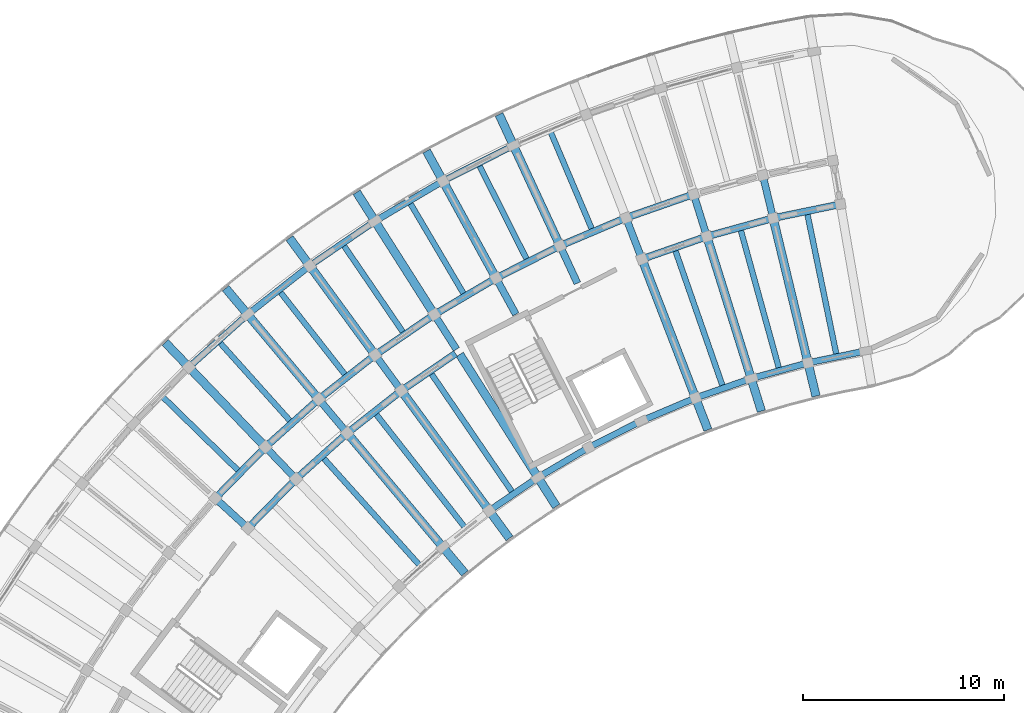
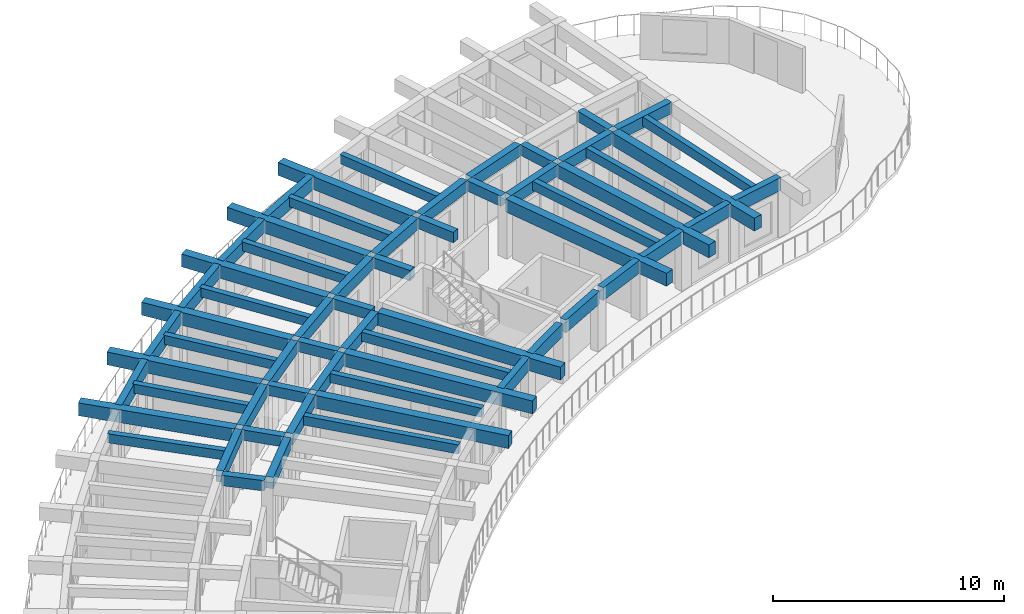
# One storey, part 16 of 62: 62 beams.
"""IFC4 building model written with IfcOpenShell, lengths in metres."""

from ifc_helpers import new_model, si_unit, direction, frame, origin, origin_2d, place, context, subcontext, project, spatial, rectangle, extrude, material, material_profile, profile_set, type_object, element, save


model = new_model("IFC4")

# Units and contexts
model_context = context("Model", 3, precision=1e-05, world=origin(), true_north=direction((0.0, 1.0)))
body_context = subcontext(model_context, "Body", "Model", "MODEL_VIEW")
ifc_project = project(units=[si_unit("LENGTHUNIT", "METRE"), si_unit("AREAUNIT", "SQUARE_METRE"), si_unit("VOLUMEUNIT", "CUBIC_METRE"), si_unit("PLANEANGLEUNIT", "RADIAN"), si_unit("MASSUNIT", "GRAM", prefix="KILO")], contexts=[model_context])

# Site, building, storey
site_placement = place(None, origin())
site = spatial("IfcSite", under=ifc_project, at=site_placement, CompositionType="ELEMENT")
building_placement = place(site_placement, origin())
building = spatial("IfcBuilding", under=site, at=building_placement, Name="Tanwirah Colonnade Gardens", CompositionType="ELEMENT")
storey_placement = place(building_placement, frame((0.0, 0.0, 32.360107421875)))
storey = spatial("IfcBuildingStorey", under=building, at=storey_placement, Name="L09", CompositionType="ELEMENT", Elevation=32.360107421875)

# Beams
ifc_material_1 = material(Name="Precast concrete C40/50", Category="concrete")
ifc_material_profile_1 = material_profile(ifc_material_1, rectangle(XDim=0.35009765625, YDim=0.550048828125, at=origin_2d()), Name="PC-BM 350x550")
ifc_profile_set_1 = profile_set([ifc_material_profile_1], Name="Precast concrete C40/50")
beam_type_1 = type_object("IfcBeamType", Name="BM-PC350A", PredefinedType="BEAM", material=ifc_profile_set_1)
beam_1_placement = place(storey_placement, frame((52.811767578125, 110.75146484375, 2.83984375), z_axis=(-0.234364199778, 0.972148868159, 0.0), x_axis=(-0.972148868159, -0.234364199778, 0.0)))
element("IfcBeam", 1, at=beam_1_placement, inside=storey, type_object=beam_type_1, Name="Block A L09 Corridor Tie Beam 2", PredefinedType="BEAM", context=body_context, shape_type="SweptSolid", body=[
    extrude(rectangle(XDim=0.35009765625, YDim=0.550048828125, at=origin_2d()), origin(), (0.0, 0.0, 1.0), 1.900146484375),
])
for number, where, z_axis, x_axis, name in (
    (2, (49.507568359375, 109.838623046875, 2.83984375), (-0.297857918398, 0.954610213882, 0.0), (-0.954610213882, -0.297857918398, 0.0), "Block A L09 Corridor Tie Beam 3"),
    (3, (46.270751953125, 108.7099609375, 2.83984375), (-0.360175656082, 0.932884503444, 0.0), (-0.932884503444, -0.360175656082, 0.0), "Block A L09 Corridor Tie Beam 4"),
    (4, (43.115234375, 107.37060546875, 2.83984375), (-0.420858322681, 0.90712638162, 0.0), (-0.90712638162, -0.420858322681, 0.0), "Block A L09 Corridor Tie Beam 5"),
    (5, (40.054931640625, 105.826171875, 2.83984375), (-0.479707235792, 0.877428611301, 0.0), (-0.877428611301, -0.479707235792, 0.0), "Block A L09 Corridor Tie Beam 6"),
    (6, (37.10302734375, 104.08349609375, 2.83984375), (-0.536509579595, 0.843894229749, 0.0), (-0.843894229749, -0.536509579595, 0.0), "Block A L09 Corridor Tie Beam 7"),
):
    element("IfcBeam", number, at=place(storey_placement, frame(where, z_axis=z_axis, x_axis=x_axis)), inside=storey, type_object=beam_type_1, Name=name, PredefinedType="BEAM", context=body_context, shape_type="SweptSolid", body=[
        extrude(rectangle(XDim=0.35009765625, YDim=0.550048828125, at=origin_2d()), origin(), (0.0, 0.0, 1.0), 1.89990234375),
    ])
beam_2_placement = place(storey_placement, frame((34.272216796875, 102.14990234375, 2.83984375), z_axis=(-0.590895676149, 0.806747977939, 0.0), x_axis=(-0.806747977939, -0.590895676149, 0.0)))
element("IfcBeam", 7, at=beam_2_placement, inside=storey, type_object=beam_type_1, Name="Block A L09 Corridor Tie Beam 8", PredefinedType="BEAM", context=body_context, shape_type="SweptSolid", body=[
    extrude(rectangle(XDim=0.35009765625, YDim=0.550048828125, at=origin_2d()), origin(), (0.0, 0.0, 1.0), 1.900146484375),
])
beam_3_placement = place(storey_placement, frame((31.574951171875, 100.034423828125, 2.83984375), z_axis=(-0.642797194343, 0.766036400535, 0.0), x_axis=(-0.766036400535, -0.642797194343, 0.0)))
element("IfcBeam", 8, at=beam_3_placement, inside=storey, type_object=beam_type_1, Name="Block A L09 Corridor Tie Beam 9", PredefinedType="BEAM", context=body_context, shape_type="SweptSolid", body=[
    extrude(rectangle(XDim=0.35009765625, YDim=0.550048828125, at=origin_2d()), origin(), (0.0, 0.0, 1.0), 1.89990234375),
])
beam_4_placement = place(storey_placement, frame((29.023193359375, 97.74560546875, 2.83984375), z_axis=(-0.691913735329, 0.721980181766, 0.0), x_axis=(-0.721980181766, -0.691913735329, 0.0)))
element("IfcBeam", 9, at=beam_4_placement, inside=storey, type_object=beam_type_1, Name="Block A L09 Corridor Tie Beam 10", PredefinedType="BEAM", context=body_context, shape_type="SweptSolid", body=[
    extrude(rectangle(XDim=0.35009765625, YDim=0.550048828125, at=origin_2d()), origin(), (0.0, 0.0, 1.0), 1.900146484375),
])
beam_5_placement = place(storey_placement, frame((26.62744140625, 95.29345703125, 2.83984375), z_axis=(-0.737948361517, 0.674857181732, 0.0), x_axis=(-0.674857181732, -0.737948361517, 0.0)))
element("IfcBeam", 10, at=beam_5_placement, inside=storey, type_object=beam_type_1, Name="Block A L09 Corridor Tie Beam 11", PredefinedType="BEAM", context=body_context, shape_type="SweptSolid", body=[
    extrude(rectangle(XDim=0.35009765625, YDim=0.550048828125, at=origin_2d()), origin(), (0.0, 0.0, 1.0), 1.89990234375),
])
ifc_material_profile_2 = material_profile(ifc_material_1, rectangle(XDim=0.35009765625, YDim=0.60009765625, at=origin_2d()), Name="PC-BM 350x600")
ifc_profile_set_2 = profile_set([ifc_material_profile_2], Name="Precast concrete C40/50")
beam_type_2 = type_object("IfcBeamType", Name="BM-PC350B", PredefinedType="BEAM", material=ifc_profile_set_2)
for number, where, z_axis, x_axis, name in (
    (11, (56.047607421875, 111.2666015625, 2.81494140625), (-0.979335880607, -0.202240532428, 0.0), (0.202240532428, -0.979335880607, 0.0), "Block A L09 Circumferential Beam 1-R1"),
    (12, (52.702392578125, 110.565673828125, 2.81494140625), (-0.963894965188, -0.266282737114, 0.0), (0.266282737114, -0.963894965188, 0.0), "Block A L09 Circumferential Beam 2-R1"),
    (13, (49.41064453125, 109.64599609375, 2.81494140625), (-0.944248304077, -0.329234172358, 0.0), (0.329234172358, -0.944248304077, 0.0), "Block A L09 Circumferential Beam 3-R1"),
):
    element("IfcBeam", number, at=place(storey_placement, frame(where, z_axis=z_axis, x_axis=x_axis)), inside=storey, type_object=beam_type_2, Name=name, PredefinedType="BEAM", context=body_context, shape_type="SweptSolid", body=[
        extrude(rectangle(XDim=0.35009765625, YDim=0.60009765625, at=origin_2d()), origin(), (0.0, 0.0, 1.0), 3.1181640625),
    ])
for number, where, z_axis, x_axis, name in (
    (14, (48.755126953125, 111.74609375, 2.81494140625), (-0.944231021702, -0.329283734272, 0.0), (0.329283734272, -0.944231021702, 0.0), "Block A L09 Circumferential Beam 3-R2"),
    (15, (45.394287109375, 110.563720703125, 2.81494140625), (-0.920513294115, -0.390711242938, 0.0), (0.390711242938, -0.920513294115, 0.0), "Block A L09 Circumferential Beam 4-R2"),
):
    element("IfcBeam", number, at=place(storey_placement, frame(where, z_axis=z_axis, x_axis=x_axis)), inside=storey, type_object=beam_type_2, Name=name, PredefinedType="BEAM", context=body_context, shape_type="SweptSolid", body=[
        extrude(rectangle(XDim=0.35009765625, YDim=0.60009765625, at=origin_2d()), origin(), (0.0, 0.0, 1.0), 3.262939453125),
    ])
for number, where, z_axis, x_axis, name in (
    (16, (42.11865234375, 109.16259765625, 2.81494140625), (-0.89276014323, -0.450532270387, 0.0), (0.450532270387, -0.89276014323, 0.0), "Block A L09 Circumferential Beam 5-R2"),
    (17, (38.9423828125, 107.548583984375, 2.81494140625), (-0.861134978964, -0.508376384193, 0.0), (0.508376384193, -0.861134978964, 0.0), "Block A L09 Circumferential Beam 6-R2"),
):
    element("IfcBeam", number, at=place(storey_placement, frame(where, z_axis=z_axis, x_axis=x_axis)), inside=storey, type_object=beam_type_2, Name=name, PredefinedType="BEAM", context=body_context, shape_type="SweptSolid", body=[
        extrude(rectangle(XDim=0.35009765625, YDim=0.60009765625, at=origin_2d()), origin(), (0.0, 0.0, 1.0), 3.26318359375),
    ])
beam_6_placement = place(storey_placement, frame((37.0595703125, 103.872314453125, 2.81494140625), z_axis=(-0.825758291455, -0.564024152047, 0.0), x_axis=(0.564024152047, -0.825758291455, 0.0)))
element("IfcBeam", 18, at=beam_6_placement, inside=storey, type_object=beam_type_2, Name="Block A L09 Circumferential Beam 7-R1", PredefinedType="BEAM", context=body_context, shape_type="SweptSolid", body=[
    extrude(rectangle(XDim=0.35009765625, YDim=0.60009765625, at=origin_2d()), origin(), (0.0, 0.0, 1.0), 3.118408203125),
])
beam_7_placement = place(storey_placement, frame((35.87939453125, 105.728759765625, 2.81494140625), z_axis=(-0.825782284145, -0.563989024, 0.0), x_axis=(0.563989024, -0.825782284145, 0.0)))
element("IfcBeam", 19, at=beam_7_placement, inside=storey, type_object=beam_type_2, Name="Block A L09 Circumferential Beam 7-R2", PredefinedType="BEAM", context=body_context, shape_type="SweptSolid", body=[
    extrude(rectangle(XDim=0.35009765625, YDim=0.60009765625, at=origin_2d()), origin(), (0.0, 0.0, 1.0), 3.26318359375),
])
beam_8_placement = place(storey_placement, frame((34.242919921875, 101.9365234375, 2.81494140625), z_axis=(-0.78679899272, -0.617209320292, 0.0), x_axis=(0.617209320292, -0.78679899272, 0.0)))
element("IfcBeam", 20, at=beam_8_placement, inside=storey, type_object=beam_type_2, Name="Block A L09 Circumferential Beam 8-R1", PredefinedType="BEAM", context=body_context, shape_type="SweptSolid", body=[
    extrude(rectangle(XDim=0.35009765625, YDim=0.60009765625, at=origin_2d()), origin(), (0.0, 0.0, 1.0), 3.1181640625),
])
beam_9_placement = place(storey_placement, frame((32.94287109375, 103.711181640625, 2.81494140625), z_axis=(-0.786839882256, -0.617157192044, 0.0), x_axis=(0.617157192044, -0.786839882256, 0.0)))
element("IfcBeam", 21, at=beam_9_placement, inside=storey, type_object=beam_type_2, Name="Block A L09 Circumferential Beam 8-R2", PredefinedType="BEAM", context=body_context, shape_type="SweptSolid", body=[
    extrude(rectangle(XDim=0.35009765625, YDim=0.60009765625, at=origin_2d()), origin(), (0.0, 0.0, 1.0), 3.26318359375),
])
beam_10_placement = place(storey_placement, frame((31.559814453125, 99.8193359375, 2.81494140625), z_axis=(-0.744429866059, -0.667700662363, 0.0), x_axis=(0.667700662363, -0.744429866059, 0.0)))
element("IfcBeam", 22, at=beam_10_placement, inside=storey, type_object=beam_type_2, Name="Block A L09 Circumferential Beam 9-R1", PredefinedType="BEAM", context=body_context, shape_type="SweptSolid", body=[
    extrude(rectangle(XDim=0.35009765625, YDim=0.60009765625, at=origin_2d()), origin(), (0.0, 0.0, 1.0), 3.1181640625),
])
beam_11_placement = place(storey_placement, frame((30.145751953125, 101.504638671875, 2.81494140625), z_axis=(-0.744409136578, -0.667723773262, 0.0), x_axis=(0.667723773262, -0.744409136578, 0.0)))
element("IfcBeam", 23, at=beam_11_placement, inside=storey, type_object=beam_type_2, Name="Block A L09 Circumferential Beam 9-R2", PredefinedType="BEAM", context=body_context, shape_type="SweptSolid", body=[
    extrude(rectangle(XDim=0.35009765625, YDim=0.60009765625, at=origin_2d()), origin(), (0.0, 0.0, 1.0), 3.26318359375),
])
beam_12_placement = place(storey_placement, frame((29.02197265625, 97.52978515625, 2.81494140625), z_axis=(-0.698837366631, -0.715280598787, 0.0), x_axis=(0.715280598787, -0.698837366631, 0.0)))
element("IfcBeam", 24, at=beam_12_placement, inside=storey, type_object=beam_type_2, Name="Block A L09 Circumferential Beam 10-R1", PredefinedType="BEAM", context=body_context, shape_type="SweptSolid", body=[
    extrude(rectangle(XDim=0.35009765625, YDim=0.60009765625, at=origin_2d()), origin(), (0.0, 0.0, 1.0), 3.117919921875),
])
beam_13_placement = place(storey_placement, frame((27.5, 99.118408203125, 2.81494140625), z_axis=(-0.698829447339, -0.71528833594, 0.0), x_axis=(0.71528833594, -0.698829447339, 0.0)))
element("IfcBeam", 25, at=beam_13_placement, inside=storey, type_object=beam_type_2, Name="Block A L09 Circumferential Beam 10-R2", PredefinedType="BEAM", context=body_context, shape_type="SweptSolid", body=[
    extrude(rectangle(XDim=0.35009765625, YDim=0.60009765625, at=origin_2d()), origin(), (0.0, 0.0, 1.0), 3.263427734375),
])
ifc_material_2 = material(Name="Precast concrete C45/55", Category="concrete")
ifc_material_profile_3 = material_profile(ifc_material_2, rectangle(XDim=0.419921875, YDim=0.679931640625, at=origin_2d()), Name="PC-BM 420x680")
ifc_profile_set_3 = profile_set([ifc_material_profile_3], Name="Precast concrete C45/55")
beam_type_3 = type_object("IfcBeamType", Name="BM-PC420", PredefinedType="BEAM", material=ifc_profile_set_3)
beam_14_placement = place(storey_placement, frame((52.882080078125, 110.459716796875, 2.77490234375), z_axis=(0.234401428133, -0.972139892448, 0.0), x_axis=(0.972139892448, 0.234401428133, 0.0)))
element("IfcBeam", 26, at=beam_14_placement, inside=storey, type_object=beam_type_3, Name="Block A L09 Inner Radial Precast Girder 2", PredefinedType="BEAM", context=body_context, shape_type="SweptSolid", body=[
    extrude(rectangle(XDim=0.419921875, YDim=0.679931640625, at=origin_2d()), origin(), (0.0, 0.0, 1.0), 8.949951171875),
])
beam_15_placement = place(storey_placement, frame((49.596923828125, 109.55224609375, 2.77490234375), z_axis=(0.29792861283, -0.9545881529, 0.0), x_axis=(0.9545881529, 0.29792861283, 0.0)))
element("IfcBeam", 27, at=beam_15_placement, inside=storey, type_object=beam_type_3, Name="Block A L09 Inner Radial Precast Girder 3", PredefinedType="BEAM", context=body_context, shape_type="SweptSolid", body=[
    extrude(rectangle(XDim=0.419921875, YDim=0.679931640625, at=origin_2d()), origin(), (0.0, 0.0, 1.0), 8.9501953125),
])
beam_16_placement = place(storey_placement, frame((46.37890625, 108.43017578125, 2.77490234375), z_axis=(0.360155980892, -0.932892099563, 0.0), x_axis=(0.932892099563, 0.360155980892, 0.0)))
element("IfcBeam", 28, at=beam_16_placement, inside=storey, type_object=beam_type_3, Name="Block A L09 Inner Radial Precast Girder 4", PredefinedType="BEAM", context=body_context, shape_type="SweptSolid", body=[
    extrude(rectangle(XDim=0.419921875, YDim=0.679931640625, at=origin_2d()), origin(), (0.0, 0.0, 1.0), 8.949951171875),
])
for number, where, z_axis, x_axis, name in (
    (29, (42.189453125, 109.3662109375, 2.77490234375), (-0.420855908645, 0.9071275016, 0.0), (-0.9071275016, -0.420855908645, 0.0), "Block A L09 Outer Radial Precast Girder 5"),
    (30, (38.99951171875, 107.75634765625, 2.77490234375), (-0.479686549155, 0.877439920769, 0.0), (-0.877439920769, -0.479686549155, 0.0), "Block A L09 Outer Radial Precast Girder 6"),
):
    element("IfcBeam", number, at=place(storey_placement, frame(where, z_axis=z_axis, x_axis=x_axis)), inside=storey, type_object=beam_type_3, Name=name, PredefinedType="BEAM", context=body_context, shape_type="SweptSolid", body=[
        extrude(rectangle(XDim=0.419921875, YDim=0.679931640625, at=origin_2d()), origin(), (0.0, 0.0, 1.0), 7.050048828125),
    ])
beam_17_placement = place(storey_placement, frame((37.263916015625, 103.830322265625, 2.77490234375), z_axis=(0.536483588607, -0.843910753075, 0.0), x_axis=(0.843910753075, 0.536483588607, 0.0)))
element("IfcBeam", 31, at=beam_17_placement, inside=storey, type_object=beam_type_3, Name="Block A L09 Inner Radial Precast Girder 7", PredefinedType="BEAM", context=body_context, shape_type="SweptSolid", body=[
    extrude(rectangle(XDim=0.419921875, YDim=0.679931640625, at=origin_2d()), origin(), (0.0, 0.0, 1.0), 8.949951171875),
])
beam_18_placement = place(storey_placement, frame((35.922607421875, 105.93994140625, 2.77490234375), z_axis=(-0.536476584537, 0.8439152056, 0.0), x_axis=(-0.8439152056, -0.536476584537, 0.0)))
element("IfcBeam", 32, at=beam_18_placement, inside=storey, type_object=beam_type_3, Name="Block A L09 Outer Radial Precast Girder 7", PredefinedType="BEAM", context=body_context, shape_type="SweptSolid", body=[
    extrude(rectangle(XDim=0.419921875, YDim=0.679931640625, at=origin_2d()), origin(), (0.0, 0.0, 1.0), 7.050048828125),
])
beam_19_placement = place(storey_placement, frame((34.449462890625, 101.907958984375, 2.77490234375), z_axis=(0.590927205009, -0.806724883947, 0.0), x_axis=(0.806724883947, 0.590927205009, 0.0)))
element("IfcBeam", 33, at=beam_19_placement, inside=storey, type_object=beam_type_3, Name="Block A L09 Inner Radial Precast Girder 8", PredefinedType="BEAM", context=body_context, shape_type="SweptSolid", body=[
    extrude(rectangle(XDim=0.419921875, YDim=0.679931640625, at=origin_2d()), origin(), (0.0, 0.0, 1.0), 8.949951171875),
])
beam_20_placement = place(storey_placement, frame((32.97216796875, 103.9248046875, 2.77490234375), z_axis=(-0.590919194225, 0.806730751798, 0.0), x_axis=(-0.806730751798, -0.590919194225, 0.0)))
element("IfcBeam", 34, at=beam_20_placement, inside=storey, type_object=beam_type_3, Name="Block A L09 Outer Radial Precast Girder 8", PredefinedType="BEAM", context=body_context, shape_type="SweptSolid", body=[
    extrude(rectangle(XDim=0.419921875, YDim=0.679931640625, at=origin_2d()), origin(), (0.0, 0.0, 1.0), 7.050048828125),
])
beam_21_placement = place(storey_placement, frame((31.767822265625, 99.804443359375, 2.77490234375), z_axis=(0.64279407932, -0.766039014406, 0.0), x_axis=(0.766039014406, 0.64279407932, 0.0)))
element("IfcBeam", 35, at=beam_21_placement, inside=storey, type_object=beam_type_3, Name="Block A L09 Inner Radial Precast Girder 9", PredefinedType="BEAM", context=body_context, shape_type="SweptSolid", body=[
    extrude(rectangle(XDim=0.419921875, YDim=0.679931640625, at=origin_2d()), origin(), (0.0, 0.0, 1.0), 8.949951171875),
])
beam_22_placement = place(storey_placement, frame((30.160888671875, 101.7197265625, 2.77490234375), z_axis=(-0.642810291951, 0.766025409867, 0.0), x_axis=(-0.766025409867, -0.642810291951, 0.0)))
element("IfcBeam", 36, at=beam_22_placement, inside=storey, type_object=beam_type_3, Name="Block A L09 Outer Radial Precast Girder 9", PredefinedType="BEAM", context=body_context, shape_type="SweptSolid", body=[
    extrude(rectangle(XDim=0.419921875, YDim=0.679931640625, at=origin_2d()), origin(), (0.0, 0.0, 1.0), 7.0498046875),
])
beam_23_placement = place(storey_placement, frame((27.5009765625, 99.333984375, 2.77490234375), z_axis=(-0.691864746793, 0.722027127015, 0.0), x_axis=(-0.722027127015, -0.691864746793, 0.0)))
element("IfcBeam", 37, at=beam_23_placement, inside=storey, type_object=beam_type_3, Name="Block A L09 Outer Radial Precast Girder 10", PredefinedType="BEAM", context=body_context, shape_type="SweptSolid", body=[
    extrude(rectangle(XDim=0.419921875, YDim=0.679931640625, at=origin_2d()), origin(), (0.0, 0.0, 1.0), 7.050048828125),
])
ifc_material_profile_4 = material_profile(ifc_material_1, rectangle(XDim=0.280029296875, YDim=0.47998046875, at=origin_2d()), Name="PC-JST 280x480")
ifc_profile_set_4 = profile_set([ifc_material_profile_4], Name="Precast concrete C40/50")
beam_type_4 = type_object("IfcBeamType", Name="JST-PC280", PredefinedType="JOIST", material=ifc_profile_set_4)
beam_24_placement = place(storey_placement, frame((55.987060546875, 103.84912109375, 2.875), z_axis=(-0.202197428816, 0.979344780851, 0.0), x_axis=(-0.979344780851, -0.202197428816, 0.0)))
element("IfcBeam", 38, at=beam_24_placement, inside=storey, type_object=beam_type_4, Name="Block A L09 Inner Precast Floor Joist 1", PredefinedType="JOIST", context=body_context, shape_type="SweptSolid", body=[
    extrude(rectangle(XDim=0.280029296875, YDim=0.47998046875, at=origin_2d()), origin(), (0.0, 0.0, 1.0), 7.16015625),
])
for number, where, z_axis, x_axis, name in (
    (39, (53.130859375, 103.16064453125, 2.875), (-0.266307034535, 0.963888252526, 0.0), (-0.963888252526, -0.266307034535, 0.0), "Block A L09 Inner Precast Floor Joist 2"),
    (40, (50.326171875, 102.28515625, 2.875), (-0.329250558112, 0.944242590642, 0.0), (-0.944242590642, -0.329250558112, 0.0), "Block A L09 Inner Precast Floor Joist 3"),
):
    element("IfcBeam", number, at=place(storey_placement, frame(where, z_axis=z_axis, x_axis=x_axis)), inside=storey, type_object=beam_type_4, Name=name, PredefinedType="JOIST", context=body_context, shape_type="SweptSolid", body=[
        extrude(rectangle(XDim=0.280029296875, YDim=0.47998046875, at=origin_2d()), origin(), (0.0, 0.0, 1.0), 7.159912109375),
    ])
beam_25_placement = place(storey_placement, frame((43.833984375, 110.063720703125, 2.875), z_axis=(-0.390723870106, 0.92050793442, 0.0), x_axis=(-0.92050793442, -0.390723870106, 0.0)))
element("IfcBeam", 41, at=beam_25_placement, inside=storey, type_object=beam_type_4, Name="Block A L09 Precast Floor Joist 4", PredefinedType="JOIST", context=body_context, shape_type="SweptSolid", body=[
    extrude(rectangle(XDim=0.280029296875, YDim=0.47998046875, at=origin_2d()), origin(), (0.0, 0.0, 1.0), 5.260009765625),
])
for number, where, z_axis, x_axis, name in (
    (42, (40.5947265625, 108.560791015625, 2.875), (-0.450533699488, 0.892759422031, 0.0), (-0.892759422031, -0.450533699488, 0.0), "Block A L09 Precast Floor Joist 5"),
    (43, (37.46142578125, 106.84765625, 2.875), (-0.508360236823, 0.86114451146, 0.0), (-0.86114451146, -0.508360236823, 0.0), "Block A L09 Precast Floor Joist 6"),
):
    element("IfcBeam", number, at=place(storey_placement, frame(where, z_axis=z_axis, x_axis=x_axis)), inside=storey, type_object=beam_type_4, Name=name, PredefinedType="JOIST", context=body_context, shape_type="SweptSolid", body=[
        extrude(rectangle(XDim=0.280029296875, YDim=0.47998046875, at=origin_2d()), origin(), (0.0, 0.0, 1.0), 5.26025390625),
    ])
beam_26_placement = place(storey_placement, frame((34.44775390625, 104.931884765625, 2.875), z_axis=(-0.563973225998, 0.825793073571, 0.0), x_axis=(-0.825793073571, -0.563973225998, 0.0)))
element("IfcBeam", 44, at=beam_26_placement, inside=storey, type_object=beam_type_4, Name="Block A L09 Precast Floor Joist 7", PredefinedType="JOIST", context=body_context, shape_type="SweptSolid", body=[
    extrude(rectangle(XDim=0.280029296875, YDim=0.47998046875, at=origin_2d()), origin(), (0.0, 0.0, 1.0), 5.260009765625),
])
beam_27_placement = place(storey_placement, frame((39.8623046875, 97.004638671875, 2.875), z_axis=(-0.564021195806, 0.825760310672, 0.0), x_axis=(-0.825760310672, -0.564021195806, 0.0)))
element("IfcBeam", 45, at=beam_27_placement, inside=storey, type_object=beam_type_4, Name="Block A L09 Inner Precast Floor Joist 7", PredefinedType="JOIST", context=body_context, shape_type="SweptSolid", body=[
    extrude(rectangle(XDim=0.280029296875, YDim=0.47998046875, at=origin_2d()), origin(), (0.0, 0.0, 1.0), 7.159912109375),
])
beam_28_placement = place(storey_placement, frame((31.56689453125, 102.82177734375, 2.875), z_axis=(-0.617177687243, 0.786823806433, 0.0), x_axis=(-0.786823806433, -0.617177687243, 0.0)))
element("IfcBeam", 46, at=beam_28_placement, inside=storey, type_object=beam_type_4, Name="Block A L09 Precast Floor Joist 8", PredefinedType="JOIST", context=body_context, shape_type="SweptSolid", body=[
    extrude(rectangle(XDim=0.280029296875, YDim=0.47998046875, at=origin_2d()), origin(), (0.0, 0.0, 1.0), 5.260009765625),
])
beam_29_placement = place(storey_placement, frame((37.491943359375, 95.268310546875, 2.875), z_axis=(-0.617202438917, 0.786804390808, 0.0), x_axis=(-0.786804390808, -0.617202438917, 0.0)))
element("IfcBeam", 47, at=beam_29_placement, inside=storey, type_object=beam_type_4, Name="Block A L09 Inner Precast Floor Joist 8", PredefinedType="JOIST", context=body_context, shape_type="SweptSolid", body=[
    extrude(rectangle(XDim=0.280029296875, YDim=0.47998046875, at=origin_2d()), origin(), (0.0, 0.0, 1.0), 7.159912109375),
])
beam_30_placement = place(storey_placement, frame((28.831298828125, 100.5263671875, 2.875), z_axis=(-0.667678987176, 0.744449306591, 0.0), x_axis=(-0.744449306591, -0.667678987176, 0.0)))
element("IfcBeam", 48, at=beam_30_placement, inside=storey, type_object=beam_type_4, Name="Block A L09 Precast Floor Joist 9", PredefinedType="JOIST", context=body_context, shape_type="SweptSolid", body=[
    extrude(rectangle(XDim=0.280029296875, YDim=0.47998046875, at=origin_2d()), origin(), (0.0, 0.0, 1.0), 5.260009765625),
])
beam_31_placement = place(storey_placement, frame((35.2412109375, 93.379638671875, 2.875), z_axis=(-0.667688404274, 0.744440860511, 0.0), x_axis=(-0.744440860511, -0.667688404274, 0.0)))
element("IfcBeam", 49, at=beam_31_placement, inside=storey, type_object=beam_type_4, Name="Block A L09 Inner Precast Floor Joist 9", PredefinedType="JOIST", context=body_context, shape_type="SweptSolid", body=[
    extrude(rectangle(XDim=0.280029296875, YDim=0.47998046875, at=origin_2d()), origin(), (0.0, 0.0, 1.0), 7.16015625),
])
beam_32_placement = place(storey_placement, frame((26.2529296875, 98.0556640625, 2.875), z_axis=(-0.715297399369, 0.698820170327, 0.0), x_axis=(-0.698820170327, -0.715297399369, 0.0)))
element("IfcBeam", 50, at=beam_32_placement, inside=storey, type_object=beam_type_4, Name="Block A L09 Precast Floor Joist 10", PredefinedType="JOIST", context=body_context, shape_type="SweptSolid", body=[
    extrude(rectangle(XDim=0.280029296875, YDim=0.47998046875, at=origin_2d()), origin(), (0.0, 0.0, 1.0), 5.260009765625),
])
ifc_material_profile_5 = material_profile(ifc_material_2, rectangle(XDim=0.320068359375, YDim=0.679931640625, at=origin_2d()), Name="PC-SP 320x680")
ifc_profile_set_5 = profile_set([ifc_material_profile_5], Name="Precast concrete C45/55")
beam_type_5 = type_object("IfcBeamType", Name="SP-PC320", PredefinedType="SPANDREL", material=ifc_profile_set_5)
for number, where, z_axis, x_axis, name in (
    (51, (57.30419921875, 103.973876953125, 2.77490234375), (-0.979351764611, -0.202163599974, 0.0), (0.202163599974, -0.979351764611, 0.0), "Block A L09 Circumferential Beam 1-R0"),
    (52, (54.436767578125, 103.371826171875, 2.77490234375), (-0.96388669146, -0.266312684688, 0.0), (0.266312684688, -0.96388669146, 0.0), "Block A L09 Circumferential Beam 2-R0"),
):
    element("IfcBeam", number, at=place(storey_placement, frame(where, z_axis=z_axis, x_axis=x_axis)), inside=storey, type_object=beam_type_5, Name=name, PredefinedType="SPANDREL", context=body_context, shape_type="SweptSolid", body=[
        extrude(rectangle(XDim=0.320068359375, YDim=0.679931640625, at=origin_2d()), origin(), (0.0, 0.0, 1.0), 2.630126953125),
    ])
for number, where, z_axis, x_axis, name in (
    (53, (51.615478515625, 102.58203125, 2.77490234375), (-0.944249847334, -0.32922974624, 0.0), (0.32922974624, -0.944249847334, 0.0), "Block A L09 Circumferential Beam 3-R0"),
    (54, (48.85205078125, 101.608154296875, 2.77490234375), (-0.920488719784, -0.390769134848, 0.0), (0.390769134848, -0.920488719784, 0.0), "Block A L09 Circumferential Beam 4-R0"),
    (55, (46.158935546875, 100.4541015625, 2.77490234375), (-0.892769015158, -0.450514689632, 0.0), (0.450514689632, -0.892769015158, 0.0), "Block A L09 Circumferential Beam 5-R0"),
):
    element("IfcBeam", number, at=place(storey_placement, frame(where, z_axis=z_axis, x_axis=x_axis)), inside=storey, type_object=beam_type_5, Name=name, PredefinedType="SPANDREL", context=body_context, shape_type="SweptSolid", body=[
        extrude(rectangle(XDim=0.320068359375, YDim=0.679931640625, at=origin_2d()), origin(), (0.0, 0.0, 1.0), 2.63037109375),
    ])
beam_33_placement = place(storey_placement, frame((39.803955078125, 114.15185546875, 2.77490234375), z_axis=(-0.892764670911, -0.450523298368, 0.0), x_axis=(0.450523298368, -0.892764670911, 0.0)))
element("IfcBeam", 56, at=beam_33_placement, inside=storey, type_object=beam_type_5, Name="Block A L09 Circumferential Beam 5-R3", PredefinedType="SPANDREL", context=body_context, shape_type="SweptSolid", body=[
    extrude(rectangle(XDim=0.320068359375, YDim=0.679931640625, at=origin_2d()), origin(), (0.0, 0.0, 1.0), 3.6259765625),
])
beam_34_placement = place(storey_placement, frame((43.547607421875, 99.125244140625, 2.77490234375), z_axis=(-0.861148181788, -0.508354019363, 0.0), x_axis=(0.508354019363, -0.861148181788, 0.0)))
element("IfcBeam", 57, at=beam_34_placement, inside=storey, type_object=beam_type_5, Name="Block A L09 Circumferential Beam 6-R0", PredefinedType="SPANDREL", context=body_context, shape_type="SweptSolid", body=[
    extrude(rectangle(XDim=0.320068359375, YDim=0.679931640625, at=origin_2d()), origin(), (0.0, 0.0, 1.0), 2.63037109375),
])
beam_35_placement = place(storey_placement, frame((36.303955078125, 112.37451171875, 2.77490234375), z_axis=(-0.861136912545, -0.5083731089, 0.0), x_axis=(0.5083731089, -0.861136912545, 0.0)))
element("IfcBeam", 58, at=beam_35_placement, inside=storey, type_object=beam_type_5, Name="Block A L09 Circumferential Beam 6-R3", PredefinedType="SPANDREL", context=body_context, shape_type="SweptSolid", body=[
    extrude(rectangle(XDim=0.320068359375, YDim=0.679931640625, at=origin_2d()), origin(), (0.0, 0.0, 1.0), 3.625732421875),
])
beam_36_placement = place(storey_placement, frame((41.029541015625, 97.627197265625, 2.77490234375), z_axis=(-0.825800981874, -0.563961646158, 0.0), x_axis=(0.563961646158, -0.825800981874, 0.0)))
element("IfcBeam", 59, at=beam_36_placement, inside=storey, type_object=beam_type_5, Name="Block A L09 Circumferential Beam 7-R0", PredefinedType="SPANDREL", context=body_context, shape_type="SweptSolid", body=[
    extrude(rectangle(XDim=0.320068359375, YDim=0.679931640625, at=origin_2d()), origin(), (0.0, 0.0, 1.0), 2.63037109375),
])
beam_37_placement = place(storey_placement, frame((32.9287109375, 110.370361328125, 2.77490234375), z_axis=(-0.825782625102, -0.563988524776, 0.0), x_axis=(0.563988524776, -0.825782625102, 0.0)))
element("IfcBeam", 60, at=beam_37_placement, inside=storey, type_object=beam_type_5, Name="Block A L09 Circumferential Beam 7-R3", PredefinedType="SPANDREL", context=body_context, shape_type="SweptSolid", body=[
    extrude(rectangle(XDim=0.320068359375, YDim=0.679931640625, at=origin_2d()), origin(), (0.0, 0.0, 1.0), 3.625732421875),
])
beam_38_placement = place(storey_placement, frame((29.69287109375, 108.148193359375, 2.77490234375), z_axis=(-0.786843799845, -0.617152197311, 0.0), x_axis=(0.617152197311, -0.786843799845, 0.0)))
element("IfcBeam", 61, at=beam_38_placement, inside=storey, type_object=beam_type_5, Name="Block A L09 Circumferential Beam 8-R3", PredefinedType="SPANDREL", context=body_context, shape_type="SweptSolid", body=[
    extrude(rectangle(XDim=0.320068359375, YDim=0.679931640625, at=origin_2d()), origin(), (0.0, 0.0, 1.0), 3.62548828125),
])
beam_39_placement = place(storey_placement, frame((26.6103515625, 105.7177734375, 2.77490234375), z_axis=(-0.744444790955, -0.667684021989, 0.0), x_axis=(0.667684021989, -0.744444790955, 0.0)))
element("IfcBeam", 62, at=beam_39_placement, inside=storey, type_object=beam_type_5, Name="Block A L09 Circumferential Beam 9-R3", PredefinedType="SPANDREL", context=body_context, shape_type="SweptSolid", body=[
    extrude(rectangle(XDim=0.320068359375, YDim=0.679931640625, at=origin_2d()), origin(), (0.0, 0.0, 1.0), 3.625732421875),
])

save(model, "model.ifc")
